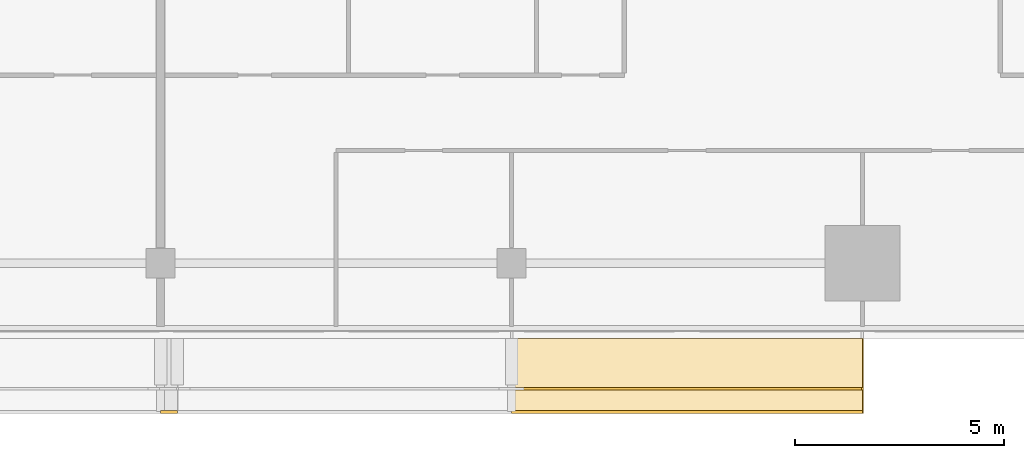
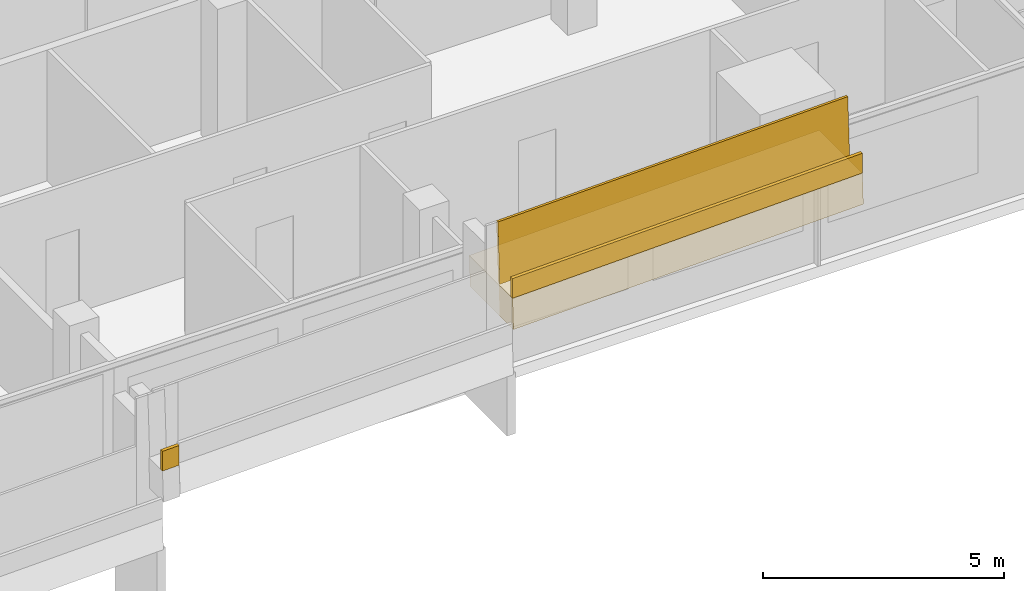
# One storey, part 28 of 28: 3 coverings, 1 railing.
"""IFC4 building model written with IfcOpenShell, lengths in metres."""

from ifc_helpers import new_model, si_unit, direction, frame, origin, origin_2d, place, context, subcontext, project, spatial, polyline, rectangle, outline, extrude, material, layer, layer_set, type_object, element, save


model = new_model("IFC4")

# Units and contexts
model_context = context("Model", 3, precision=1e-05, world=origin(), true_north=direction((0.0, 1.0)))
body_context = subcontext(model_context, "Body", "Model", "MODEL_VIEW")
ifc_project = project(units=[si_unit("LENGTHUNIT", "METRE"), si_unit("AREAUNIT", "SQUARE_METRE"), si_unit("VOLUMEUNIT", "CUBIC_METRE"), si_unit("PLANEANGLEUNIT", "RADIAN"), si_unit("MASSUNIT", "GRAM", prefix="KILO")], contexts=[model_context])

# Site, building, storey
site_placement = place(None, origin())
site = spatial("IfcSite", under=ifc_project, at=site_placement, CompositionType="ELEMENT")
building_placement = place(site_placement, origin())
building = spatial("IfcBuilding", under=site, at=building_placement, Name="Saffron Gate Tower", CompositionType="ELEMENT")
storey_placement = place(building_placement, frame((0.0, 0.0, 176.25)))
storey = spatial("IfcBuildingStorey", under=building, at=storey_placement, Name="L43", CompositionType="ELEMENT", Elevation=176.25)

# Coverings
ifc_material = material(Name="Timber, thermally modified ash", Category="wood")
ifc_layer_1 = layer(ifc_material, 0.800048828125)
ifc_layer_set_1 = layer_set([ifc_layer_1], Name="LD1 ledge timber")
covering_type_1 = type_object("IfcCoveringType", Name="LD1 ledge timber", PredefinedType="CLADDING", material=ifc_layer_set_1)
covering_1_placement = place(storey_placement, frame((108.60009765625, 30.0, 3.21337890625), z_axis=(-0.028791175352, 0.0, 0.999585448184), x_axis=(0.999585448184, 0.0, 0.028791175352)))
element("IfcCovering", 1, at=covering_1_placement, inside=storey, type_object=covering_type_1, Name="LEDGE", PredefinedType="CLADDING", context=body_context, shape_type="SweptSolid", body=[
    extrude(outline(polyline([(0.0, 0.0), (8.403385982666892, 0.0), (8.403385982666892, -1.800048828125), (0.0, -1.800048828125), (0.0, 0.0)])), origin(), (0.0, 0.0, -1.0), 0.800048828125),
])
ifc_layer_2 = layer(ifc_material, 0.080078125)
ifc_layer_set_2 = layer_set([ifc_layer_2], Name="LD2 ledge planter trough")
covering_type_2 = type_object("IfcCoveringType", Name="LD2 ledge planter trough", PredefinedType="CLADDING", material=ifc_layer_set_2)
covering_2_placement = place(storey_placement, frame((100.199951171875, 28.199951171875, 1.77099609375), z_axis=(0.0, -1.0, 0.0), x_axis=(0.999589096284, 0.0, 0.028664238881)))
element("IfcCovering", 2, at=covering_2_placement, inside=storey, type_object=covering_type_2, Name="LEDGE planter trough", PredefinedType="CLADDING", context=body_context, shape_type="SweptSolid", body=[
    extrude(outline(polyline([(0.0, 0.0), (0.40031097364171886, -1.734723475976807e-18), (0.4146430930820291, 0.4997945481418826), (0.014332119440310242, 0.4997945481418827), (0.0, 0.0)])), origin(), (0.0, 0.0, -1.0), 0.080078125),
])
covering_3_placement = place(storey_placement, frame((108.60009765625, 28.199951171875, 3.21337890625), z_axis=(0.0, -1.0, 0.0), x_axis=(0.999585448184, 0.0, 0.028791175352)))
element("IfcCovering", 3, at=covering_3_placement, inside=storey, type_object=covering_type_2, Name="LEDGE planter trough", PredefinedType="CLADDING", context=body_context, shape_type="SweptSolid", body=[
    extrude(outline(polyline([(0.0, 0.0), (8.403385982666892, 0.0), (8.417781570342743, 0.49979272409216496), (0.014395587675851172, 0.4997927240921649), (0.0, 0.0)])), origin(), (0.0, 0.0, -1.0), 0.080078125),
])

# Railing
railing_type = type_object("IfcRailingType", Name="LG1 ledge balustrade", PredefinedType="BALUSTRADE", material=ifc_material)
railing_placement = place(storey_placement, frame((108.60009765625, 28.800048828125, 3.21337890625)))
element("IfcRailing", 4, at=railing_placement, inside=storey, type_object=railing_type, Name="LEDGE BALUSTRADE", PredefinedType="BALUSTRADE", context=body_context, shape_type="SweptSolid", body=[
    extrude(rectangle(XDim=0.06005859375, YDim=1.60009765625, at=origin_2d()), frame((0.0, 0.0, 0.800048828125), z_axis=(0.999585448184, 0.0, 0.028791175352), x_axis=(0.0, 1.0, 0.0)), (0.0, 0.0, 1.0), 8.4033203125),
])

save(model, "model.ifc")
